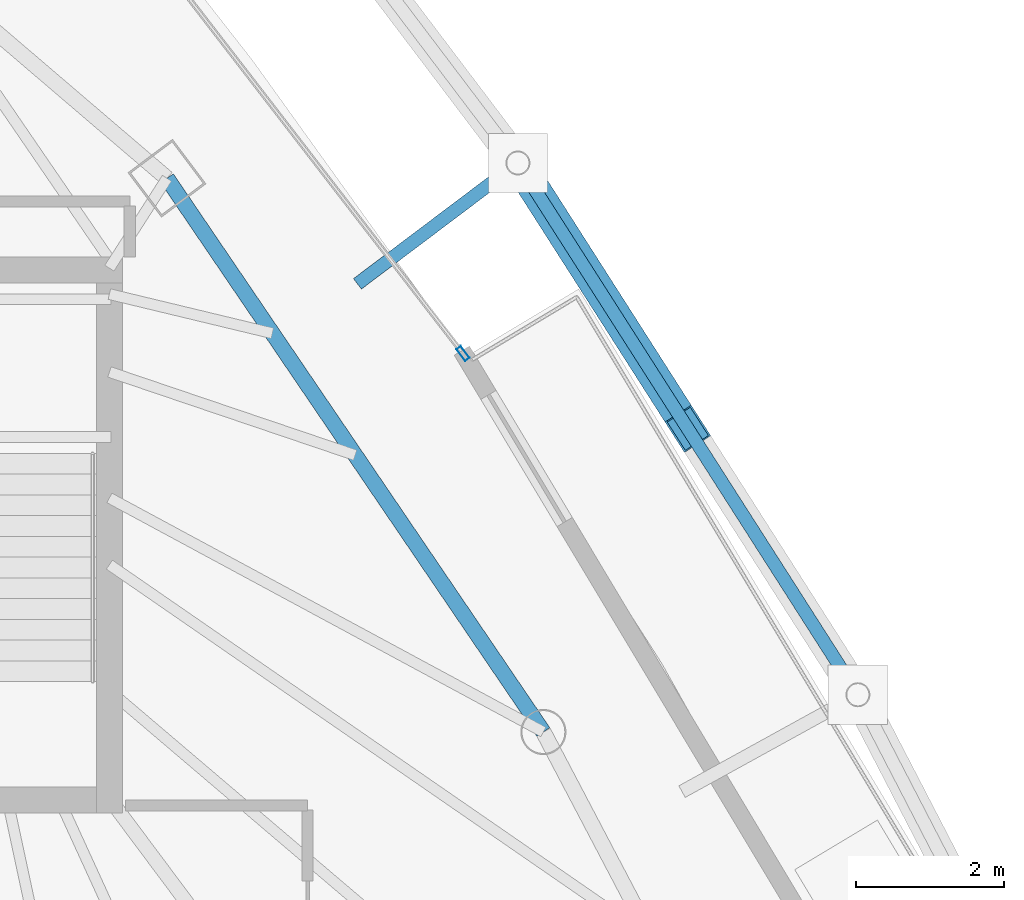
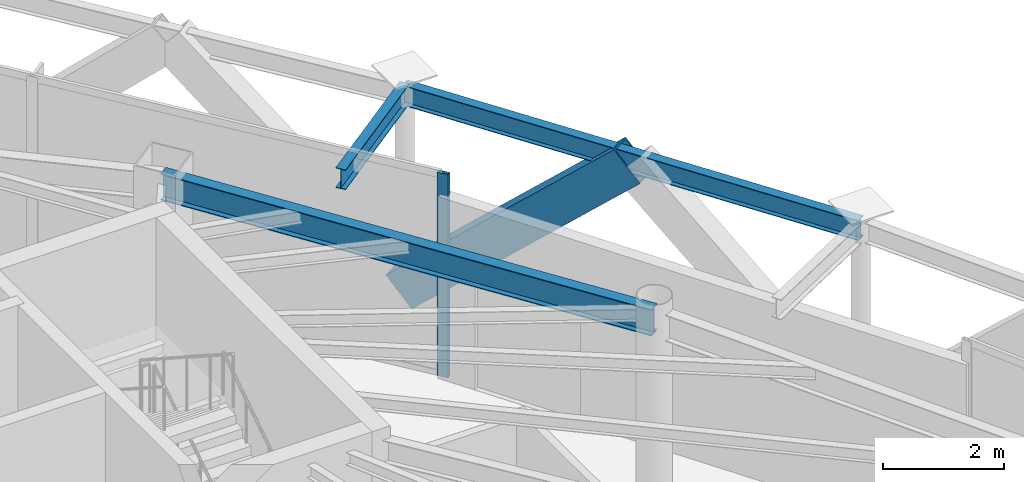
# One storey, part 15 of 25: 3 beams, 2 members, 1 element without a shape of its own.
"""IFC4 building model written with IfcOpenShell, lengths in metres."""

from ifc_helpers import new_model, si_unit, direction, frame, origin, origin_2d, place, context, subcontext, project, spatial, hollow_rectangle, i_section, extrude, material, layer, layer_set, material_profile, profile_set, type_object, element, aggregate, save


model = new_model("IFC4")

# Units and contexts
model_context = context("Model", 3, precision=1e-05, world=origin(), true_north=direction((0.0, 1.0)))
body_context = subcontext(model_context, "Body", "Model", "MODEL_VIEW")
ifc_project = project(units=[si_unit("LENGTHUNIT", "METRE"), si_unit("AREAUNIT", "SQUARE_METRE"), si_unit("VOLUMEUNIT", "CUBIC_METRE"), si_unit("PLANEANGLEUNIT", "RADIAN"), si_unit("MASSUNIT", "GRAM", prefix="KILO")], contexts=[model_context])

# Site, building, storey
site_placement = place(None, origin())
site = spatial("IfcSite", under=ifc_project, at=site_placement, CompositionType="ELEMENT")
building_placement = place(site_placement, origin())
building = spatial("IfcBuilding", under=site, at=building_placement, Name="Orvanel Arch Residences", CompositionType="ELEMENT")
storey_placement = place(building_placement, frame((0.0, 0.0, 236.0)))
storey = spatial("IfcBuildingStorey", under=building, at=storey_placement, Name="L67", CompositionType="ELEMENT", Elevation=236.0)

# Member
ifc_material_1 = material(Name="Structural steel AS/NZS 3678 Grade 350", Category="steel")
ifc_material_profile_1 = material_profile(ifc_material_1, hollow_rectangle(XDim=0.419921875, YDim=0.719970703125, WallThickness=0.02490234375, at=origin_2d()), Name="RHS720x420x25")
ifc_profile_set_1 = profile_set([ifc_material_profile_1], Name="Structural steel AS/NZS 3678 Grade 350")
member_type_1 = type_object("IfcMemberType", Name="BR-720RHS-EXT", PredefinedType="BRACE", material=ifc_profile_set_1)
member_1_placement = place(storey_placement, frame((45.0869140625, 35.319091796875, 0.0), z_axis=(0.396817154164, -0.62078731326, 0.676135532165), x_axis=(0.842571209112, 0.53858495855, 0.0)))
element("IfcMember", 1, at=member_1_placement, inside=storey, type_object=member_type_1, Name="L67 Exterior Sky-Garden V-Frame Chevron F3B2.2", PredefinedType="BRACE", context=body_context, shape_type="SweptSolid", body=[
    extrude(hollow_rectangle(XDim=0.419921875, YDim=0.719970703125, WallThickness=0.02490234375, at=origin_2d()), origin(), (0.0, 0.0, 1.0), 5.7783203125),
])

# Curtain wall, member
ifc_material_2 = material(Name="Bronze-anodised aluminium AA6063-T6", Category="aluminium")
ifc_layer = layer(ifc_material_2, 0.195068359375)
ifc_layer_set = layer_set([ifc_layer], Name="Bronze-anodised aluminium AA6063-T6")
curtain_wall_type = type_object("IfcCurtainWallType", Name="CW6-COM-SYS", PredefinedType="NOTDEFINED", material=ifc_layer_set)
curtain_wall_placement = place(storey_placement, origin())
curtain_wall = element("IfcCurtainWall", 2, at=curtain_wall_placement, inside=storey, type_object=curtain_wall_type, Name="L67 CW6-COM-SYS Unitised Curtain Wall", PredefinedType="NOTDEFINED")
ifc_material_profile_2 = material_profile(ifc_material_2, hollow_rectangle(XDim=0.074951171875, YDim=0.199951171875, WallThickness=0.0048828125, at=origin_2d()), Name="ALU200x75x5")
ifc_profile_set_2 = profile_set([ifc_material_profile_2], Name="Bronze-anodised aluminium AA6063-T6")
member_type_2 = type_object("IfcMemberType", Name="MUL-200x75", PredefinedType="MULLION", material=ifc_profile_set_2)
member_2_placement = place(storey_placement, frame((44.34619140625, 32.748779296875, 0.0), z_axis=(0.0, 0.0, 1.0), x_axis=(-0.791647696508, -0.610977842981, 0.0)))
member_2 = element("IfcMember", 3, at=member_2_placement, type_object=member_type_2, Name="CW-S6 mullion 1", PredefinedType="MULLION", context=body_context, shape_type="SweptSolid", body=[
    extrude(hollow_rectangle(XDim=0.074951171875, YDim=0.199951171875, WallThickness=0.0048828125, at=origin_2d()), origin(), (0.0, 0.0, 1.0), 4.110107421875),
])
aggregate(curtain_wall, [member_2])

# Beams
ifc_material_3 = material(Name="Structural steel AS/NZS 3679.1 Grade 300 (300 MPa)", Category="steel")
ifc_material_profile_3 = material_profile(ifc_material_3, i_section(OverallWidth=0.177978515625, OverallDepth=0.406005859375, WebThickness=0.0078125, FlangeThickness=0.0126953125, at=origin_2d()), Name="410UB59.7")
ifc_profile_set_3 = profile_set([ifc_material_profile_3], Name="Structural steel AS/NZS 3679.1 Grade 300 (300 MPa)")
beam_type_1 = type_object("IfcBeamType", Name="OB-410UB-EXT", PredefinedType="SPANDREL", material=ifc_profile_set_3)
beam_1_placement = place(storey_placement, frame((49.674072265625, 28.14404296875, 3.906982421875), z_axis=(-0.538647690138, 0.84253110679, 0.0), x_axis=(-0.84253110679, -0.538647690138, 0.0)))
element("IfcBeam", 4, at=beam_1_placement, inside=storey, type_object=beam_type_1, Name="L67 Outer Perimeter Floor Ring Beam 10", PredefinedType="SPANDREL", context=body_context, shape_type="SweptSolid", body=[
    extrude(i_section(OverallWidth=0.177978515625, OverallDepth=0.406005859375, WebThickness=0.0078125, FlangeThickness=0.0126953125, at=origin_2d()), origin(), (0.0, 0.0, 1.0), 8.51611328125),
])
beam_2_placement = place(storey_placement, frame((42.922119140625, 33.68798828125, 3.906982421875), z_axis=(0.798668573172, 0.601771144396, 0.0), x_axis=(-0.601771144396, 0.798668573172, 0.0)))
element("IfcBeam", 5, at=beam_2_placement, inside=storey, type_object=beam_type_1, Name="L67 Outer Frame Radial Tie Beam 11", PredefinedType="SPANDREL", context=body_context, shape_type="SweptSolid", body=[
    extrude(i_section(OverallWidth=0.177978515625, OverallDepth=0.406005859375, WebThickness=0.0078125, FlangeThickness=0.0126953125, at=origin_2d()), origin(), (0.0, 0.0, 1.0), 2.71044921875),
])
ifc_material_profile_4 = material_profile(ifc_material_3, i_section(OverallWidth=0.208984375, OverallDepth=0.532958984375, WebThickness=0.01025390625, FlangeThickness=0.015625, at=origin_2d()), Name="530UB92.4")
ifc_profile_set_4 = profile_set([ifc_material_profile_4], Name="Structural steel AS/NZS 3679.1 Grade 300 (300 MPa)")
beam_type_2 = type_object("IfcBeamType", Name="SP-530UB", PredefinedType="SPANDREL", material=ifc_profile_set_4)
beam_3_placement = place(storey_placement, frame((45.430908203125, 27.64111328125, 3.843994140625), z_axis=(-0.562154793153, 0.827032035978, 0.0), x_axis=(-0.827032035978, -0.562154793153, 0.0)))
element("IfcBeam", 6, at=beam_3_placement, inside=storey, type_object=beam_type_2, Name="L67 Perimeter Spandrel Beam 08", PredefinedType="SPANDREL", context=body_context, shape_type="SweptSolid", body=[
    extrude(i_section(OverallWidth=0.208984375, OverallDepth=0.532958984375, WebThickness=0.01025390625, FlangeThickness=0.015625, at=origin_2d()), origin(), (0.0, 0.0, 1.0), 9.03466796875),
])

save(model, "model.ifc")
